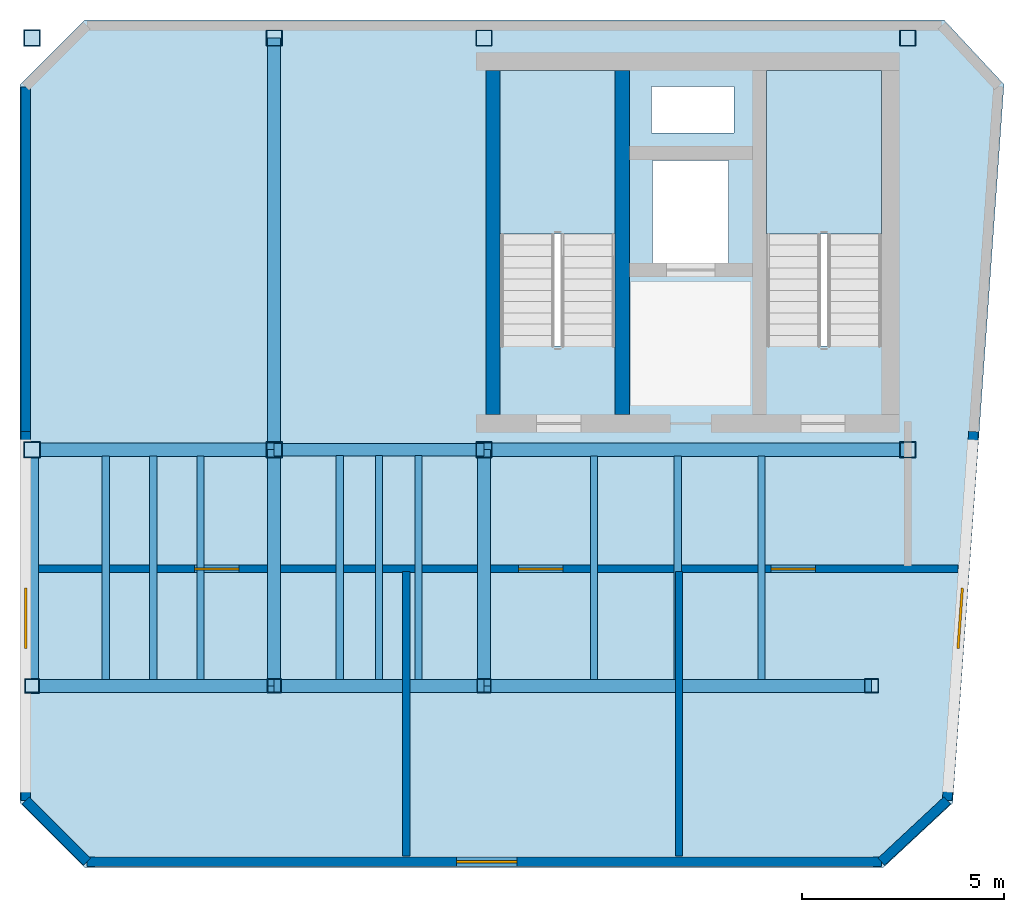
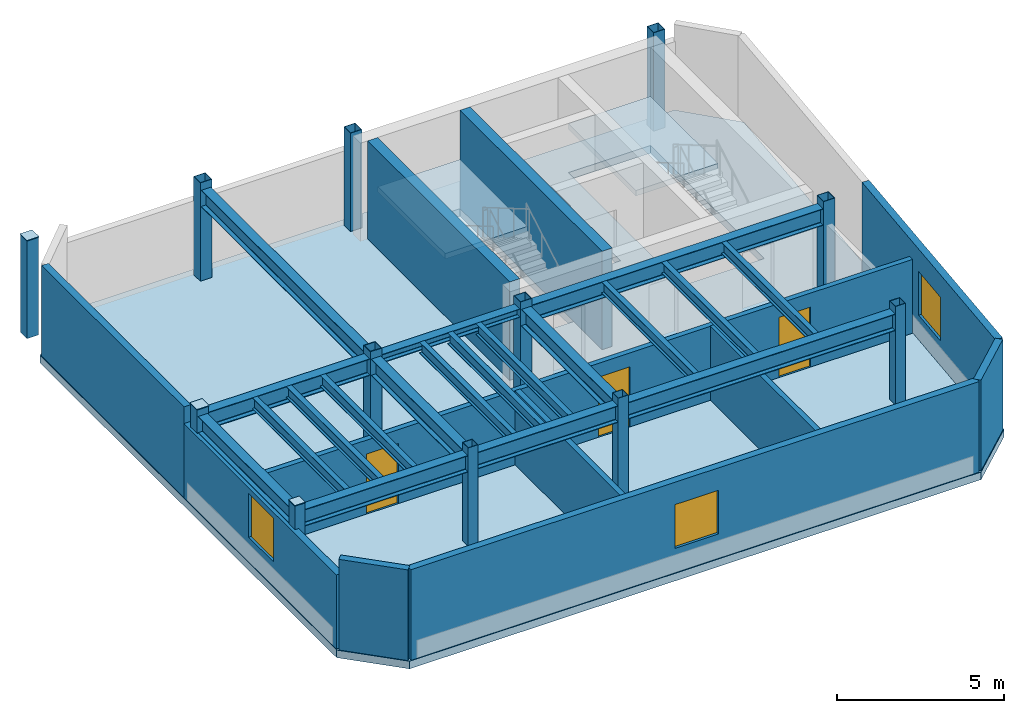
# One storey, part 1 of 3: 19 beams, 12 columns, 11 walls, 3 doors, 3 plates, 3 slabs, 3 windows, 6 openings, 2 elements without a shape of their own.
"""IFC4 building model written with IfcOpenShell, lengths in metres."""

from ifc_helpers import new_model, si_unit, direction, frame, frame_2d, origin, origin_2d, place, context, subcontext, project, spatial, polyline, rectangle, hollow_rectangle, i_section, outline, extrude, material, layer, layer_set, material_profile, profile_set, type_object, element, fill, aggregate, save


model = new_model("IFC4")

# Units and contexts
model_context = context("Model", 3, precision=1e-05, world=origin(), true_north=direction((0.0, 1.0)))
body_context = subcontext(model_context, "Body", "Model", "MODEL_VIEW")
ifc_project = project(units=[si_unit("LENGTHUNIT", "METRE"), si_unit("AREAUNIT", "SQUARE_METRE"), si_unit("VOLUMEUNIT", "CUBIC_METRE"), si_unit("PLANEANGLEUNIT", "RADIAN"), si_unit("MASSUNIT", "GRAM", prefix="KILO")], contexts=[model_context])

# Site, building, storey
site_placement = place(None, origin())
site = spatial("IfcSite", under=ifc_project, at=site_placement, CompositionType="ELEMENT")
building_placement = place(site_placement, origin())
building = spatial("IfcBuilding", under=site, at=building_placement, Name="Kravanh Interchange Tower", CompositionType="ELEMENT")
storey_placement = place(building_placement, frame((0.0, 0.0, 319.199951171875)))
storey = spatial("IfcBuildingStorey", under=building, at=storey_placement, Name="L79", CompositionType="ELEMENT", Elevation=319.199951171875)

# Columns
ifc_material_1 = material(Name="Structural Steel S355", Category="steel")
ifc_material_profile_1 = material_profile(ifc_material_1, hollow_rectangle(XDim=0.35009765625, YDim=0.35009765625, WallThickness=0.01611328125, at=origin_2d()), Name="HSS350X350X16")
ifc_profile_set_1 = profile_set([ifc_material_profile_1], Name="Structural Steel S355")
column_type_1 = type_object("IfcColumnType", Name="Column HSS350X350X16 Structural Steel S355", PredefinedType="COLUMN", material=ifc_profile_set_1)
for number, where, z_axis, x_axis, name in (
    (1, (56.0, 31.5, 0.0), (0.0, 0.0, 1.0), (1.0, 0.0, 0.0), "L79 Column CC_F"),
    (2, (65.60009765625, 31.5, 0.0), (0.0, 0.0, 1.0), (1.0, 0.0, 0.0), "L79 Column CC_G"),
    (3, (50.800048828125, 31.5, 0.0), (0.0, 0.0, 1.0), (1.0, 0.0, 0.0), "L79 Column CC_I"),
):
    element("IfcColumn", number, at=place(storey_placement, frame(where, z_axis=z_axis, x_axis=x_axis)), inside=storey, type_object=column_type_1, Name=name, PredefinedType="COLUMN", context=body_context, shape_type="SweptSolid", body=[
        extrude(hollow_rectangle(XDim=0.35009765625, YDim=0.35009765625, WallThickness=0.01611328125, at=origin_2d()), origin(), (0.0, 0.0, 1.0), 3.60009765625),
    ])
column_placement = place(storey_placement, frame((44.800048828125, 31.5, 0.0), z_axis=(0.0, 0.0, 1.0), x_axis=(1.0, 0.0, 0.0)))
element("IfcColumn", 4, at=column_placement, inside=storey, type_object=column_type_1, Name="L79 Column CH_E1", PredefinedType="COLUMN", context=body_context, shape_type="SweptSolid", body=[
    extrude(hollow_rectangle(XDim=0.35009765625, YDim=0.35009765625, WallThickness=0.01611328125, at=origin_2d()), origin(), (0.0, 0.0, 1.0), 3.574951171875),
])
ifc_material_2 = material(Name="Structural Steel S355", Category="steel")
ifc_material_profile_2 = material_profile(ifc_material_2, hollow_rectangle(XDim=0.39990234375, YDim=0.39990234375, WallThickness=0.01611328125, at=origin_2d()), Name="HSS400X400X16")
ifc_profile_set_2 = profile_set([ifc_material_profile_2], Name="Structural Steel S355")
column_type_2 = type_object("IfcColumnType", Name="Column HSS400X400X16 Structural Steel S355", PredefinedType="COLUMN", material=ifc_profile_set_2)
for number, where, z_axis, x_axis, name in (
    (5, (66.5, 47.550048828125, 0.0), (0.0, 0.0, 1.0), (1.0, 0.0, 0.0), "L79 Column CS01"),
    (6, (56.0, 47.550048828125, 0.0), (0.0, 0.0, 1.0), (1.0, 0.0, 0.0), "L79 Column CS02"),
    (7, (66.5, 37.35009765625, 0.0), (0.0, 0.0, 1.0), (1.0, 0.0, 0.0), "L79 Column CS03"),
    (8, (56.0, 37.35009765625, 0.0), (0.0, 0.0, 1.0), (1.0, 0.0, 0.0), "L79 Column CS04"),
    (9, (50.800048828125, 47.550048828125, 0.0), (0.0, 0.0, 1.0), (1.0, 0.0, 0.0), "L79 Column CS05"),
    (10, (50.800048828125, 37.35009765625, 0.0), (0.0, 0.0, 1.0), (1.0, 0.0, 0.0), "L79 Column CS06"),
):
    element("IfcColumn", number, at=place(storey_placement, frame(where, z_axis=z_axis, x_axis=x_axis)), inside=storey, type_object=column_type_2, Name=name, PredefinedType="COLUMN", context=body_context, shape_type="SweptSolid", body=[
        extrude(hollow_rectangle(XDim=0.39990234375, YDim=0.39990234375, WallThickness=0.01611328125, at=origin_2d()), origin(), (0.0, 0.0, 1.0), 3.60009765625),
    ])
for number, where, z_axis, x_axis, name in (
    (11, (44.800048828125, 37.35009765625, 0.0), (0.0, 0.0, 1.0), (1.0, 0.0, 0.0), "L79 Column CS07"),
    (12, (44.800048828125, 47.550048828125, 0.0), (0.0, 0.0, 1.0), (1.0, 0.0, 0.0), "L79 Column CS08"),
):
    element("IfcColumn", number, at=place(storey_placement, frame(where, z_axis=z_axis, x_axis=x_axis)), inside=storey, type_object=column_type_2, Name=name, PredefinedType="COLUMN", context=body_context, shape_type="SweptSolid", body=[
        extrude(hollow_rectangle(XDim=0.39990234375, YDim=0.39990234375, WallThickness=0.01611328125, at=origin_2d()), origin(), (0.0, 0.0, 1.0), 3.574951171875),
    ])

# Beams
ifc_material_3 = material(Name="Structural Steel S355", Category="steel")
ifc_material_profile_3 = material_profile(ifc_material_3, i_section(OverallWidth=0.323974609375, OverallDepth=0.611083984375, WebThickness=0.0126953125, FlangeThickness=0.01904296875, FilletRadius=0.02197265625, at=origin_2d()), Name="W24X104")
ifc_profile_set_3 = profile_set([ifc_material_profile_3], Name="Structural Steel S355")
beam_type_1 = type_object("IfcBeamType", Name="Floor Beam W24X104 Structural Steel S355", PredefinedType="BEAM", material=ifc_profile_set_3)
beam_1_placement = place(storey_placement, frame((56.0, 31.5, 3.0146484375), z_axis=(-1.0, 0.0, 0.0), x_axis=(0.0, -1.0, 0.0)))
element("IfcBeam", 13, at=beam_1_placement, inside=storey, type_object=beam_type_1, Name="L79 Primary Floor Girder 1", PredefinedType="BEAM", context=body_context, shape_type="SweptSolid", body=[
    extrude(i_section(OverallWidth=0.323974609375, OverallDepth=0.611083984375, WebThickness=0.0126953125, FlangeThickness=0.01904296875, FilletRadius=0.02197265625, at=origin_2d()), origin(), (0.0, 0.0, 1.0), 5.199951171875),
])
beam_2_placement = place(storey_placement, frame((56.0, 31.5, 3.0146484375), z_axis=(0.0, 1.0, 0.0), x_axis=(-1.0, 0.0, 0.0)))
element("IfcBeam", 14, at=beam_2_placement, inside=storey, type_object=beam_type_1, Name="L79 Primary Floor Girder 2", PredefinedType="BEAM", context=body_context, shape_type="SweptSolid", body=[
    extrude(i_section(OverallWidth=0.323974609375, OverallDepth=0.611083984375, WebThickness=0.0126953125, FlangeThickness=0.01904296875, FilletRadius=0.02197265625, at=origin_2d()), origin(), (0.0, 0.0, 1.0), 5.85009765625),
])
beam_3_placement = place(storey_placement, frame((56.0, 31.5, 3.0146484375), z_axis=(1.0, 0.0, 0.0), x_axis=(0.0, 1.0, 0.0)))
element("IfcBeam", 15, at=beam_3_placement, inside=storey, type_object=beam_type_1, Name="L79 Primary Floor Girder 3", PredefinedType="BEAM", context=body_context, shape_type="SweptSolid", body=[
    extrude(i_section(OverallWidth=0.323974609375, OverallDepth=0.611083984375, WebThickness=0.0126953125, FlangeThickness=0.01904296875, FilletRadius=0.02197265625, at=origin_2d()), origin(), (0.0, 0.0, 1.0), 9.60009765625),
])
beam_4_placement = place(storey_placement, frame((50.800048828125, 31.5, 3.0146484375), z_axis=(0.0, 1.0, 0.0), x_axis=(-1.0, 0.0, 0.0)))
element("IfcBeam", 16, at=beam_4_placement, inside=storey, type_object=beam_type_1, Name="L79 Primary Floor Girder 4", PredefinedType="BEAM", context=body_context, shape_type="SweptSolid", body=[
    extrude(i_section(OverallWidth=0.323974609375, OverallDepth=0.611083984375, WebThickness=0.0126953125, FlangeThickness=0.01904296875, FilletRadius=0.02197265625, at=origin_2d()), origin(), (0.0, 0.0, 1.0), 5.85009765625),
])
beam_5_placement = place(storey_placement, frame((50.800048828125, 31.5, 3.0146484375), z_axis=(-1.0, 0.0, 0.0), x_axis=(0.0, -1.0, 0.0)))
element("IfcBeam", 17, at=beam_5_placement, inside=storey, type_object=beam_type_1, Name="L79 Primary Floor Girder 5", PredefinedType="BEAM", context=body_context, shape_type="SweptSolid", body=[
    extrude(i_section(OverallWidth=0.323974609375, OverallDepth=0.611083984375, WebThickness=0.0126953125, FlangeThickness=0.01904296875, FilletRadius=0.02197265625, at=origin_2d()), origin(), (0.0, 0.0, 1.0), 6.0),
])
beam_6_placement = place(storey_placement, frame((44.800048828125, 31.5, 3.0146484375), z_axis=(0.0, 1.0, 0.0), x_axis=(-1.0, 0.0, 0.0)))
element("IfcBeam", 18, at=beam_6_placement, inside=storey, type_object=beam_type_1, Name="L79 Primary Floor Girder 6", PredefinedType="BEAM", context=body_context, shape_type="SweptSolid", body=[
    extrude(i_section(OverallWidth=0.323974609375, OverallDepth=0.611083984375, WebThickness=0.0126953125, FlangeThickness=0.01904296875, FilletRadius=0.02197265625, at=origin_2d()), origin(), (0.0, 0.0, 1.0), 5.85009765625),
])
beam_7_placement = place(storey_placement, frame((66.5, 37.35009765625, 3.0146484375), z_axis=(-1.0, 0.0, 0.0), x_axis=(0.0, -1.0, 0.0)))
element("IfcBeam", 19, at=beam_7_placement, inside=storey, type_object=beam_type_1, Name="L79 Primary Floor Girder 11", PredefinedType="BEAM", context=body_context, shape_type="SweptSolid", body=[
    extrude(i_section(OverallWidth=0.323974609375, OverallDepth=0.611083984375, WebThickness=0.0126953125, FlangeThickness=0.01904296875, FilletRadius=0.02197265625, at=origin_2d()), origin(), (0.0, 0.0, 1.0), 10.5),
])
beam_8_placement = place(storey_placement, frame((50.800048828125, 47.550048828125, 3.0146484375), z_axis=(0.0, -1.0, 0.0), x_axis=(1.0, 0.0, 0.0)))
element("IfcBeam", 20, at=beam_8_placement, inside=storey, type_object=beam_type_1, Name="L79 Primary Floor Girder 13", PredefinedType="BEAM", context=body_context, shape_type="SweptSolid", body=[
    extrude(i_section(OverallWidth=0.323974609375, OverallDepth=0.611083984375, WebThickness=0.0126953125, FlangeThickness=0.01904296875, FilletRadius=0.02197265625, at=origin_2d()), origin(), (0.0, 0.0, 1.0), 10.199951171875),
])
beam_9_placement = place(storey_placement, frame((50.800048828125, 37.35009765625, 3.0146484375), z_axis=(-1.0, 0.0, 0.0), x_axis=(0.0, -1.0, 0.0)))
element("IfcBeam", 21, at=beam_9_placement, inside=storey, type_object=beam_type_1, Name="L79 Primary Floor Girder 14", PredefinedType="BEAM", context=body_context, shape_type="SweptSolid", body=[
    extrude(i_section(OverallWidth=0.323974609375, OverallDepth=0.611083984375, WebThickness=0.0126953125, FlangeThickness=0.01904296875, FilletRadius=0.02197265625, at=origin_2d()), origin(), (0.0, 0.0, 1.0), 6.0),
])
ifc_material_4 = material(Name="Structural Steel S355", Category="steel")
ifc_material_profile_4 = material_profile(ifc_material_4, i_section(OverallWidth=0.177978515625, OverallDepth=0.406005859375, WebThickness=0.0078125, FlangeThickness=0.0126953125, FilletRadius=0.01611328125, at=origin_2d()), Name="W16X40")
ifc_profile_set_4 = profile_set([ifc_material_profile_4], Name="Structural Steel S355")
beam_type_2 = type_object("IfcBeamType", Name="Floor Joist W16X40 Structural Steel S355", PredefinedType="JOIST", material=ifc_profile_set_4)
for number, where, z_axis, x_axis, name in (
    (22, (46.625, 31.656982421875, 3.116943359375), (0.0, 1.0, 0.0), (-1.0, 0.0, 0.0), "L79 Secondary Floor Joist 1"),
    (23, (47.800048828125, 31.656982421875, 3.116943359375), (0.0, 1.0, 0.0), (-1.0, 0.0, 0.0), "L79 Secondary Floor Joist 2"),
    (24, (48.97509765625, 31.656982421875, 3.116943359375), (0.0, 1.0, 0.0), (-1.0, 0.0, 0.0), "L79 Secondary Floor Joist 3"),
):
    element("IfcBeam", number, at=place(storey_placement, frame(where, z_axis=z_axis, x_axis=x_axis)), inside=storey, type_object=beam_type_2, Name=name, PredefinedType="JOIST", context=body_context, shape_type="SweptSolid", body=[
        extrude(i_section(OverallWidth=0.177978515625, OverallDepth=0.406005859375, WebThickness=0.0078125, FlangeThickness=0.0126953125, FilletRadius=0.01611328125, at=origin_2d()), origin(), (0.0, 0.0, 1.0), 5.5361328125),
    ])
for number, where, z_axis, x_axis, name in (
    (25, (52.425048828125, 31.656982421875, 3.116943359375), (0.0, 1.0, 0.0), (-1.0, 0.0, 0.0), "L79 Secondary Floor Joist 4"),
    (26, (53.39990234375, 31.656982421875, 3.116943359375), (0.0, 1.0, 0.0), (-1.0, 0.0, 0.0), "L79 Secondary Floor Joist 5"),
    (27, (54.375, 31.656982421875, 3.116943359375), (0.0, 1.0, 0.0), (-1.0, 0.0, 0.0), "L79 Secondary Floor Joist 6"),
):
    element("IfcBeam", number, at=place(storey_placement, frame(where, z_axis=z_axis, x_axis=x_axis)), inside=storey, type_object=beam_type_2, Name=name, PredefinedType="JOIST", context=body_context, shape_type="SweptSolid", body=[
        extrude(i_section(OverallWidth=0.177978515625, OverallDepth=0.406005859375, WebThickness=0.0078125, FlangeThickness=0.0126953125, FilletRadius=0.01611328125, at=origin_2d()), origin(), (0.0, 0.0, 1.0), 5.54541015625),
    ])
for number, where, z_axis, x_axis, name in (
    (28, (58.72509765625, 31.656982421875, 3.116943359375), (0.0, 1.0, 0.0), (-1.0, 0.0, 0.0), "L79 Secondary Floor Joist 7"),
    (29, (60.800048828125, 31.656982421875, 3.116943359375), (0.0, 1.0, 0.0), (-1.0, 0.0, 0.0), "L79 Secondary Floor Joist 8"),
    (30, (62.875, 31.656982421875, 3.116943359375), (0.0, 1.0, 0.0), (-1.0, 0.0, 0.0), "L79 Secondary Floor Joist 9"),
):
    element("IfcBeam", number, at=place(storey_placement, frame(where, z_axis=z_axis, x_axis=x_axis)), inside=storey, type_object=beam_type_2, Name=name, PredefinedType="JOIST", context=body_context, shape_type="SweptSolid", body=[
        extrude(i_section(OverallWidth=0.177978515625, OverallDepth=0.406005859375, WebThickness=0.0078125, FlangeThickness=0.0126953125, FilletRadius=0.01611328125, at=origin_2d()), origin(), (0.0, 0.0, 1.0), 5.5361328125),
    ])
ifc_material_5 = material(Name="Structural Steel S355", Category="steel")
ifc_material_profile_5 = material_profile(ifc_material_5, i_section(OverallWidth=0.304931640625, OverallDepth=0.306884765625, WebThickness=0.010009765625, FlangeThickness=0.015380859375, FilletRadius=0.014892578125, at=origin_2d()), Name="W12X65")
ifc_profile_set_5 = profile_set([ifc_material_profile_5], Name="Structural Steel S355")
beam_type_3 = type_object("IfcBeamType", Name="Floor Lintel W12X65 Structural Steel S355", PredefinedType="LINTEL", material=ifc_profile_set_5)
beam_10_placement = place(storey_placement, frame((50.800048828125, 37.35009765625, 3.16650390625), z_axis=(1.0, 0.0, 0.0), x_axis=(0.0, 1.0, 0.0)))
element("IfcBeam", 31, at=beam_10_placement, inside=storey, type_object=beam_type_3, Name="L79 Core Coupling Lintel 1", PredefinedType="LINTEL", context=body_context, shape_type="SweptSolid", body=[
    extrude(i_section(OverallWidth=0.304931640625, OverallDepth=0.306884765625, WebThickness=0.010009765625, FlangeThickness=0.015380859375, FilletRadius=0.014892578125, at=origin_2d()), origin(), (0.0, 0.0, 1.0), 5.199951171875),
])

# Plates
ifc_material_6 = material(Name="Structural Steel S355", Category="steel")
ifc_layer_1 = layer(ifc_material_6, 0.02490234375)
ifc_layer_set_1 = layer_set([ifc_layer_1], Name="Column End Cap Plate 370x370x25 S355")
plate_type_1 = type_object("IfcPlateType", Name="Column End Cap Plate 370x370x25 S355", PredefinedType="SHEET", material=ifc_layer_set_1)
plate_placement = place(storey_placement, frame((44.800048828125, 31.5, 3.5751953125), z_axis=(0.0, 0.0, 1.0), x_axis=(1.0, 0.0, 0.0)))
element("IfcPlate", 32, at=plate_placement, inside=storey, type_object=plate_type_1, Name="L79 Hollow Column CH_E1 End Cap Plate", PredefinedType="SHEET", context=body_context, shape_type="SweptSolid", body=[
    extrude(rectangle(XDim=0.3701171875, YDim=0.3701171875, at=origin_2d()), origin(), (0.0, 0.0, 1.0), 0.02490234375),
])
ifc_material_7 = material(Name="Structural Steel S355", Category="steel")
ifc_layer_2 = layer(ifc_material_7, 0.02490234375)
ifc_layer_set_2 = layer_set([ifc_layer_2], Name="Column End Cap Plate 420x420x25 S355")
plate_type_2 = type_object("IfcPlateType", Name="Column End Cap Plate 420x420x25 S355", PredefinedType="SHEET", material=ifc_layer_set_2)
for number, where, z_axis, x_axis, name in (
    (33, (44.800048828125, 37.35009765625, 3.5751953125), (0.0, 0.0, 1.0), (1.0, 0.0, 0.0), "L79 Hollow Column CS07 End Cap Plate"),
    (34, (44.800048828125, 47.550048828125, 3.5751953125), (0.0, 0.0, 1.0), (1.0, 0.0, 0.0), "L79 Hollow Column CS08 End Cap Plate"),
):
    element("IfcPlate", number, at=place(storey_placement, frame(where, z_axis=z_axis, x_axis=x_axis)), inside=storey, type_object=plate_type_2, Name=name, PredefinedType="SHEET", context=body_context, shape_type="SweptSolid", body=[
        extrude(rectangle(XDim=0.419921875, YDim=0.419921875, at=origin_2d()), origin(), (0.0, 0.0, 1.0), 0.02490234375),
    ])

# Slab
ifc_material_8 = material(Name="Concrete C60/75", Category="concrete")
ifc_layer_3 = layer(ifc_material_8, 0.280029296875)
ifc_layer_set_3 = layer_set([ifc_layer_3], Name="Composite Floor Slab Concrete C60/75 280mm")
slab_type_1 = type_object("IfcSlabType", Name="Composite Floor Slab Concrete C60/75 280mm", PredefinedType="FLOOR", material=ifc_layer_set_3)
slab_1_placement = place(storey_placement, frame((0.0, 0.0, -0.280029296875)))
element("IfcSlab", 35, at=slab_1_placement, inside=storey, type_object=slab_type_1, Name="L79 Structural Floor Slab", PredefinedType="FLOOR", context=body_context, shape_type="SweptSolid", body=[
    extrude(outline(polyline([(44.5, 28.60009765625), (46.10009765625, 27.0), (65.89990234375, 27.0), (67.614013671875, 28.595947265625), (68.885986328125, 46.404052734375), (67.39990234375, 48.0), (46.10009765625, 48.0), (44.5, 46.39990234375), (44.5, 28.60009765625)]), holes=[polyline([(65.85009765625, 39.925048828125), (65.85009765625, 46.75), (63.0, 46.75), (63.0, 39.925048828125), (65.85009765625, 39.925048828125)]), polyline([(59.25, 39.925048828125), (59.25, 46.75), (56.39990234375, 46.75), (56.39990234375, 39.925048828125), (59.25, 39.925048828125)]), polyline([(60.179931640625, 41.97998046875), (62.06005859375, 41.97998046875), (62.06005859375, 44.52001953125), (60.179931640625, 44.52001953125), (60.179931640625, 41.97998046875)]), polyline([(60.14990234375, 45.199951171875), (62.199951171875, 45.199951171875), (62.199951171875, 46.35009765625), (60.14990234375, 46.35009765625), (60.14990234375, 45.199951171875)])]), origin(), (0.0, 0.0, 1.0), 0.280029296875),
])

# Stair, slab
ifc_material_9 = material(Name="Concrete C50/60", Category="concrete")
stair_type = type_object("IfcStairType", Name="Core Fire Exit Dogleg Stair Concrete C50/60", PredefinedType="HALF_TURN_STAIR", material=ifc_material_9)
stair_1_placement = place(storey_placement, origin())
stair_1 = element("IfcStair", 36, at=stair_1_placement, inside=storey, type_object=stair_type, Name="L79 Exit Stair ST1", PredefinedType="HALF_TURN_STAIR")
ifc_material_10 = material(Name="Concrete C50/60", Category="concrete")
ifc_layer_4 = layer(ifc_material_10, 0.199951171875)
ifc_layer_set_4 = layer_set([ifc_layer_4], Name="Concrete C50/60 Stair Half-Landing Slab 200mm")
slab_type_2 = type_object("IfcSlabType", Name="Concrete C50/60 Stair Half-Landing Slab 200mm", PredefinedType="LANDING", material=ifc_layer_set_4)
slab_2_placement = place(storey_placement, frame((0.0, 0.0, 1.60009765625)))
slab_2 = element("IfcSlab", 37, at=slab_2_placement, type_object=slab_type_2, Name="ST1 landing 1", PredefinedType="LANDING", context=body_context, shape_type="SweptSolid", body=[
    extrude(outline(polyline([(65.85009765625, 42.699951171875), (65.85009765625, 46.75), (63.0, 46.75), (63.0, 42.699951171875), (65.85009765625, 42.699951171875)])), origin(), (0.0, 0.0, 1.0), 0.199951171875),
])
aggregate(stair_1, [slab_2])

stair_2_placement = place(storey_placement, origin())
stair_2 = element("IfcStair", 38, at=stair_2_placement, inside=storey, type_object=stair_type, Name="L79 Exit Stair ST2", PredefinedType="HALF_TURN_STAIR")
slab_3_placement = place(storey_placement, frame((0.0, 0.0, 1.60009765625)))
slab_3 = element("IfcSlab", 39, at=slab_3_placement, type_object=slab_type_2, Name="ST2 landing 1", PredefinedType="LANDING", context=body_context, shape_type="SweptSolid", body=[
    extrude(outline(polyline([(59.25, 42.699951171875), (59.25, 46.75), (56.39990234375, 46.75), (56.39990234375, 42.699951171875), (59.25, 42.699951171875)])), origin(), (0.0, 0.0, 1.0), 0.199951171875),
])
aggregate(stair_2, [slab_3])

# Walls
ifc_material_11 = material(Name="Concrete C60/75", Category="concrete")
ifc_layer_5 = layer(ifc_material_11, 0.35009765625)
ifc_layer_set_5 = layer_set([ifc_layer_5], Name="Core Shear Wall Concrete C60/75 350mm")
wall_type_1 = type_object("IfcWallType", Name="Core Shear Wall Concrete C60/75 350mm", PredefinedType="SHEAR", material=ifc_layer_set_5)
for number, where, z_axis, x_axis, name in (
    (40, (59.425048828125, 38.22509765625, 0.0), (0.0, 0.0, 1.0), (0.0, 1.0, 0.0), "L79 Stair ST2 East Shear Wall"),
    (41, (56.22509765625, 38.22509765625, 0.0), (0.0, 0.0, 1.0), (0.0, 1.0, 0.0), "L79 Stair ST2 West Shear Wall"),
):
    element("IfcWall", number, at=place(storey_placement, frame(where, z_axis=z_axis, x_axis=x_axis)), inside=storey, type_object=wall_type_1, Name=name, PredefinedType="SHEAR", context=body_context, shape_type="SweptSolid", body=[
        extrude(rectangle(XDim=8.52490234375, YDim=0.35009765625, at=frame_2d((4.262451171875, 0.0))), origin(), (0.0, 0.0, 1.0), 3.60009765625),
    ])

# Wall, opening, window
ifc_material_12 = material(Name="Insulated Concrete C40/50 with Bronze Rainscreen", Category="concrete")
ifc_layer_6 = layer(ifc_material_12, 0.239990234375)
ifc_layer_set_6 = layer_set([ifc_layer_6], Name="Exterior Insulated Concrete C40/50 Crown Enclosure Wall 240mm")
wall_type_2 = type_object("IfcWallType", Name="Exterior Insulated Concrete C40/50 Crown Enclosure Wall 240mm", PredefinedType="STANDARD", material=ifc_layer_set_6)
wall_1_placement = place(storey_placement, frame((44.639892578125, 28.657958984375, 0.0), z_axis=(0.0, 0.0, 1.0), x_axis=(0.0, 1.0, 0.0)))
wall_1 = element("IfcWall", 42, at=wall_1_placement, inside=storey, type_object=wall_type_2, Name="L79 Exterior Enclosure Wall 1", PredefinedType="STANDARD", context=body_context, shape_type="SweptSolid", body=[
    extrude(rectangle(XDim=9.14208984375, YDim=0.239990234375, at=frame_2d((4.571044921875, 0.0))), origin(), (0.0, 0.0, 1.0), 2.708984375),
])
opening_1_placement = place(wall_1_placement, frame((3.760498046875, 0.0, 0.89990234375)))
opening_1 = element("IfcOpeningElement", 43, at=opening_1_placement, cuts=wall_1, Name="Opening WN-150X160", PredefinedType="OPENING", context=body_context, shape_type="SweptSolid", body=[
    extrude(rectangle(XDim=1.5, YDim=1.60009765625, at=frame_2d((0.75, 0.800048828125))), frame((0.0, 0.1298828125, 0.0), z_axis=(0.0, -1.0, 0.0), x_axis=(1.0, 0.0, 0.0)), (0.0, 0.0, 1.0), 0.260009765625),
])
ifc_material_13 = material(Name="Thermally Broken Bronze Aluminium and Low-E Glass", Category="aluminium")
window_type = type_object("IfcWindowType", Name="Crown Clerestory Window 1500x1600", PartitioningType="SINGLE_PANEL", PredefinedType="WINDOW", material=ifc_material_13)
window_1_placement = place(opening_1_placement, origin())
window_1 = element("IfcWindow", 44, at=window_1_placement, inside=storey, type_object=window_type, Name="L79 Crown Clerestory Window 1", OverallHeight=1.60009765625, OverallWidth=1.5, PartitioningType="SINGLE_PANEL", PredefinedType="WINDOW", context=body_context, shape_type="SweptSolid", body=[
    extrude(rectangle(XDim=1.5, YDim=1.60009765625, at=frame_2d((0.75, 0.800048828125))), frame((0.0, 0.030029296875, 0.0), z_axis=(0.0, -1.0, 0.0), x_axis=(1.0, 0.0, 0.0)), (0.0, 0.0, 1.0), 0.06005859375),
])
fill(opening_1, window_1)

# Wall
wall_2_placement = place(storey_placement, frame((44.639892578125, 37.800048828125, 0.0), z_axis=(0.0, 0.0, 1.0), x_axis=(0.0, 1.0, 0.0)))
element("IfcWall", 45, at=wall_2_placement, inside=storey, type_object=wall_type_2, Name="L79 Exterior Enclosure Wall 2", PredefinedType="STANDARD", context=body_context, shape_type="SweptSolid", body=[
    extrude(rectangle(XDim=8.5419921875, YDim=0.239990234375, at=frame_2d((4.27099609375, 0.0))), origin(), (0.0, 0.0, 1.0), 3.320068359375),
])

# Wall, opening, window
wall_3_placement = place(storey_placement, frame((68.131103515625, 37.800048828125, 0.0), z_axis=(0.0, 0.0, 1.0), x_axis=(-0.071250837206, -0.997458429308, 0.0)))
wall_3 = element("IfcWall", 46, at=wall_3_placement, inside=storey, type_object=wall_type_2, Name="L79 Exterior Enclosure Wall 7", PredefinedType="STANDARD", context=body_context, shape_type="SweptSolid", body=[
    extrude(rectangle(XDim=9.162353515625, YDim=0.239990234375, at=frame_2d((4.5810546875, 0.0))), origin(), (0.0, 0.0, 1.0), 3.320068359375),
])
opening_2_placement = place(wall_3_placement, frame((3.891845703125, 0.0, 0.89990234375)))
opening_2 = element("IfcOpeningElement", 47, at=opening_2_placement, cuts=wall_3, Name="Opening WN-150X160", PredefinedType="OPENING", context=body_context, shape_type="SweptSolid", body=[
    extrude(rectangle(XDim=1.5, YDim=1.60009765625, at=frame_2d((0.75, 0.800048828125))), frame((0.0, 0.1298828125, 0.0), z_axis=(0.0, -1.0, 0.0), x_axis=(1.0, 0.0, 0.0)), (0.0, 0.0, 1.0), 0.260009765625),
])
window_2_placement = place(opening_2_placement, origin())
window_2 = element("IfcWindow", 48, at=window_2_placement, inside=storey, type_object=window_type, Name="L79 Crown Clerestory Window 7", OverallHeight=1.60009765625, OverallWidth=1.5, PartitioningType="SINGLE_PANEL", PredefinedType="WINDOW", context=body_context, shape_type="SweptSolid", body=[
    extrude(rectangle(XDim=1.5, YDim=1.60009765625, at=frame_2d((0.75, 0.800048828125))), frame((0.0, 0.030029296875, 0.0), z_axis=(0.0, -1.0, 0.0), x_axis=(1.0, 0.0, 0.0)), (0.0, 0.0, 1.0), 0.06005859375),
])
fill(opening_2, window_2)

# Wall
wall_4_placement = place(storey_placement, frame((67.478271484375, 28.660888671875, 0.0), z_axis=(0.0, 0.0, 1.0), x_axis=(-0.731818720836, -0.681499346907, 0.0)))
element("IfcWall", 49, at=wall_4_placement, inside=storey, type_object=wall_type_2, Name="L79 Exterior Enclosure Wall 8", PredefinedType="STANDARD", context=body_context, shape_type="SweptSolid", body=[
    extrude(rectangle(XDim=2.23193359375, YDim=0.239990234375, at=frame_2d((1.115966796875, 0.0))), origin(), (0.0, 0.0, 1.0), 3.320068359375),
])

# Wall, opening, window
wall_5_placement = place(storey_placement, frame((65.844970703125, 27.139892578125, 0.0), z_axis=(0.0, 0.0, 1.0), x_axis=(-1.0, 0.0, 0.0)))
wall_5 = element("IfcWall", 50, at=wall_5_placement, inside=storey, type_object=wall_type_2, Name="L79 Exterior Enclosure Wall 9", PredefinedType="STANDARD", context=body_context, shape_type="SweptSolid", body=[
    extrude(rectangle(XDim=19.68701171875, YDim=0.239990234375, at=frame_2d((9.843505859375, 0.0))), origin(), (0.0, 0.0, 1.0), 3.320068359375),
])
opening_3_placement = place(wall_5_placement, frame((9.033203125, 0.0, 0.89990234375)))
opening_3 = element("IfcOpeningElement", 51, at=opening_3_placement, cuts=wall_5, Name="Opening WN-150X160", PredefinedType="OPENING", context=body_context, shape_type="SweptSolid", body=[
    extrude(rectangle(XDim=1.5, YDim=1.60009765625, at=frame_2d((0.75, 0.800048828125))), frame((0.0, 0.1298828125, 0.0), z_axis=(0.0, -1.0, 0.0), x_axis=(1.0, 0.0, 0.0)), (0.0, 0.0, 1.0), 0.260009765625),
])
window_3_placement = place(opening_3_placement, origin())
window_3 = element("IfcWindow", 52, at=window_3_placement, inside=storey, type_object=window_type, Name="L79 Crown Clerestory Window 9", OverallHeight=1.60009765625, OverallWidth=1.5, PartitioningType="SINGLE_PANEL", PredefinedType="WINDOW", context=body_context, shape_type="SweptSolid", body=[
    extrude(rectangle(XDim=1.5, YDim=1.60009765625, at=frame_2d((0.75, 0.800048828125))), frame((0.0, 0.030029296875, 0.0), z_axis=(0.0, -1.0, 0.0), x_axis=(1.0, 0.0, 0.0)), (0.0, 0.0, 1.0), 0.06005859375),
])
fill(opening_3, window_3)

# Wall
wall_6_placement = place(storey_placement, frame((46.157958984375, 27.139892578125, 0.0), z_axis=(0.0, 0.0, 1.0), x_axis=(-0.707106781187, 0.707106781187, 0.0)))
element("IfcWall", 53, at=wall_6_placement, inside=storey, type_object=wall_type_2, Name="L79 Exterior Enclosure Wall 10", PredefinedType="STANDARD", context=body_context, shape_type="SweptSolid", body=[
    extrude(rectangle(XDim=2.14697265625, YDim=0.239990234375, at=frame_2d((1.073486328125, 0.0))), origin(), (0.0, 0.0, 1.0), 3.320068359375),
])

# Wall, openings, doors
ifc_material_14 = material(Name="Autoclaved Aerated Concrete C30/37 Blockwork", Category="masonry")
ifc_layer_7 = layer(ifc_material_14, 0.179931640625)
ifc_layer_set_7 = layer_set([ifc_layer_7], Name="Fire-Rated Lobby and Corridor Wall Concrete C30/37 180mm")
wall_type_3 = type_object("IfcWallType", Name="Fire-Rated Lobby and Corridor Wall Concrete C30/37 180mm", PredefinedType="STANDARD", material=ifc_layer_set_7)
wall_7_placement = place(storey_placement, frame((44.784912109375, 34.39990234375, 0.0), z_axis=(0.0, 0.0, 1.0), x_axis=(1.0, 0.0, 0.0)))
wall_7 = element("IfcWall", 54, at=wall_7_placement, inside=storey, type_object=wall_type_3, Name="L79 Interior Partition 1", PredefinedType="STANDARD", context=body_context, shape_type="SweptSolid", body=[
    extrude(rectangle(XDim=22.9580078125, YDim=0.179931640625, at=frame_2d((11.47900390625, 0.0))), origin(), (0.0, 0.0, 1.0), 2.708984375),
])
opening_4_placement = place(wall_7_placement, frame((4.044921875, 0.0, 0.0)))
opening_4 = element("IfcOpeningElement", 55, at=opening_4_placement, cuts=wall_7, Name="Opening D-STAIR-110", PredefinedType="OPENING", context=body_context, shape_type="SweptSolid", body=[
    extrude(rectangle(XDim=1.10009765625, YDim=2.199951171875, at=frame_2d((0.550048828125, 1.10009765625))), frame((0.0, 0.10009765625, 0.0), z_axis=(0.0, -1.0, 0.0), x_axis=(1.0, 0.0, 0.0)), (0.0, 0.0, 1.0), 0.199951171875),
])
opening_5_placement = place(wall_7_placement, frame((12.07421875, 0.0, 0.0)))
opening_5 = element("IfcOpeningElement", 56, at=opening_5_placement, cuts=wall_7, Name="Opening D-STAIR-110", PredefinedType="OPENING", context=body_context, shape_type="SweptSolid", body=[
    extrude(rectangle(XDim=1.10009765625, YDim=2.199951171875, at=frame_2d((0.550048828125, 1.10009765625))), frame((0.0, 0.10009765625, 0.0), z_axis=(0.0, -1.0, 0.0), x_axis=(1.0, 0.0, 0.0)), (0.0, 0.0, 1.0), 0.199951171875),
])
opening_6_placement = place(wall_7_placement, frame((18.330078125, 0.0, 0.0)))
opening_6 = element("IfcOpeningElement", 57, at=opening_6_placement, cuts=wall_7, Name="Opening D-STAIR-110", PredefinedType="OPENING", context=body_context, shape_type="SweptSolid", body=[
    extrude(rectangle(XDim=1.10009765625, YDim=2.199951171875, at=frame_2d((0.550048828125, 1.10009765625))), frame((0.0, 0.10009765625, 0.0), z_axis=(0.0, -1.0, 0.0), x_axis=(1.0, 0.0, 0.0)), (0.0, 0.0, 1.0), 0.199951171875),
])
ifc_material_15 = material(Name="Structural Steel S355", Category="steel")
door_type = type_object("IfcDoorType", Name="Fire-Rated Exit Stair Door 1100x2200", OperationType="NOTDEFINED", PredefinedType="DOOR", material=ifc_material_15)
door_1_placement = place(opening_4_placement, origin())
door_1 = element("IfcDoor", 58, at=door_1_placement, inside=storey, type_object=door_type, Name="L79 Plant Room 1 Door", OperationType="SINGLE_SWING_LEFT", OverallHeight=2.199951171875, OverallWidth=1.10009765625, PredefinedType="DOOR", context=body_context, shape_type="SweptSolid", body=[
    extrude(rectangle(XDim=1.10009765625, YDim=2.199951171875, at=frame_2d((0.550048828125, 1.10009765625))), frame((0.0, 0.02490234375, 0.0), z_axis=(0.0, -1.0, 0.0), x_axis=(1.0, 0.0, 0.0)), (0.0, 0.0, 1.0), 0.050048828125),
])
fill(opening_4, door_1)
door_2_placement = place(opening_5_placement, origin())
door_2 = element("IfcDoor", 59, at=door_2_placement, inside=storey, type_object=door_type, Name="L79 Plant Room 2 Door", OperationType="SINGLE_SWING_RIGHT", OverallHeight=2.199951171875, OverallWidth=1.10009765625, PredefinedType="DOOR", context=body_context, shape_type="SweptSolid", body=[
    extrude(rectangle(XDim=1.10009765625, YDim=2.199951171875, at=frame_2d((0.550048828125, 1.10009765625))), frame((0.0, 0.02490234375, 0.0), z_axis=(0.0, -1.0, 0.0), x_axis=(1.0, 0.0, 0.0)), (0.0, 0.0, 1.0), 0.050048828125),
])
fill(opening_5, door_2)
door_3_placement = place(opening_6_placement, origin())
door_3 = element("IfcDoor", 60, at=door_3_placement, inside=storey, type_object=door_type, Name="L79 Plant Room 3 Door", OperationType="SINGLE_SWING_LEFT", OverallHeight=2.199951171875, OverallWidth=1.10009765625, PredefinedType="DOOR", context=body_context, shape_type="SweptSolid", body=[
    extrude(rectangle(XDim=1.10009765625, YDim=2.199951171875, at=frame_2d((0.550048828125, 1.10009765625))), frame((0.0, 0.02490234375, 0.0), z_axis=(0.0, -1.0, 0.0), x_axis=(1.0, 0.0, 0.0)), (0.0, 0.0, 1.0), 0.050048828125),
])
fill(opening_6, door_3)

# Walls
for number, where, z_axis, x_axis, name in (
    (61, (54.070068359375, 27.284912109375, 0.0), (0.0, 0.0, 1.0), (0.0, 1.0, 0.0), "L79 Interior Partition 3"),
    (62, (60.830078125, 27.284912109375, 0.0), (0.0, 0.0, 1.0), (0.0, 1.0, 0.0), "L79 Interior Partition 4"),
):
    element("IfcWall", number, at=place(storey_placement, frame(where, z_axis=z_axis, x_axis=x_axis)), inside=storey, type_object=wall_type_3, Name=name, PredefinedType="STANDARD", context=body_context, shape_type="SweptSolid", body=[
        extrude(rectangle(XDim=7.047119140625, YDim=0.179931640625, at=frame_2d((3.5234375, 0.0))), origin(), (0.0, 0.0, 1.0), 2.708984375),
    ])

save(model, "model.ifc")
